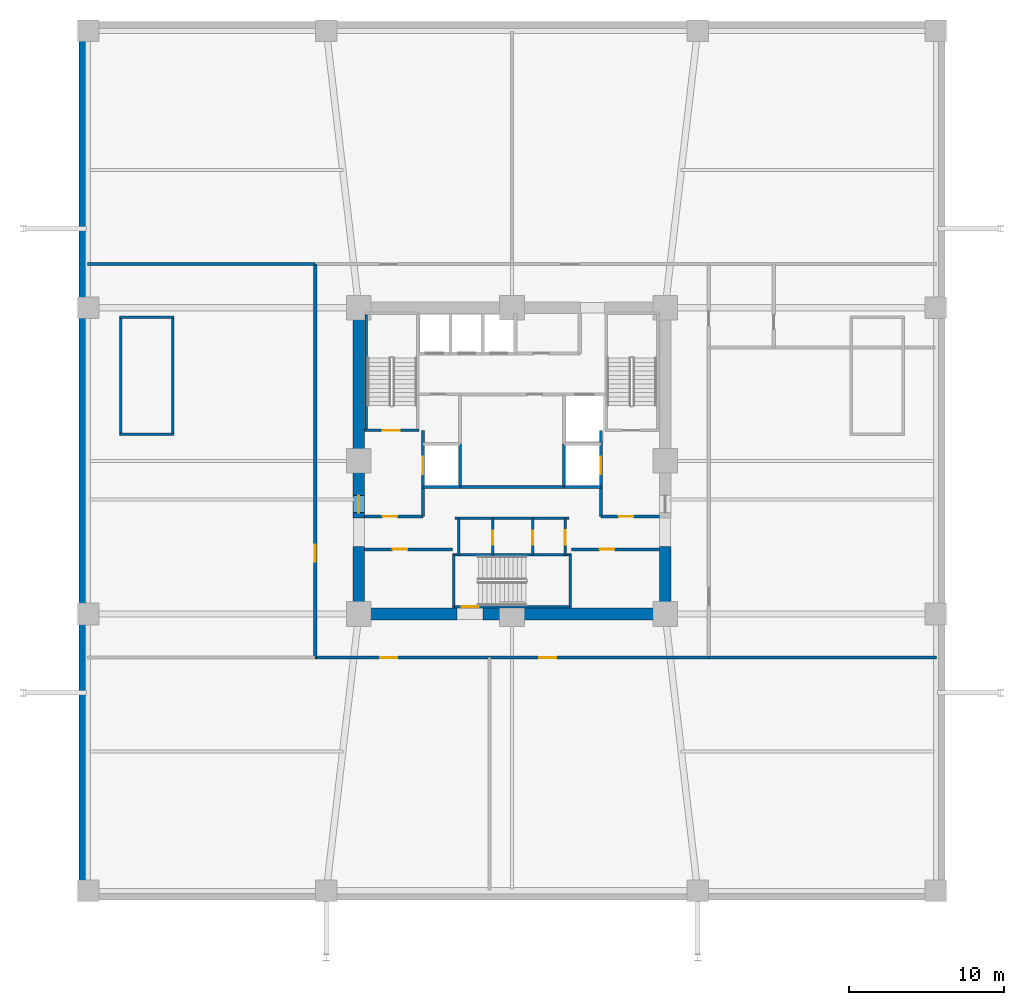
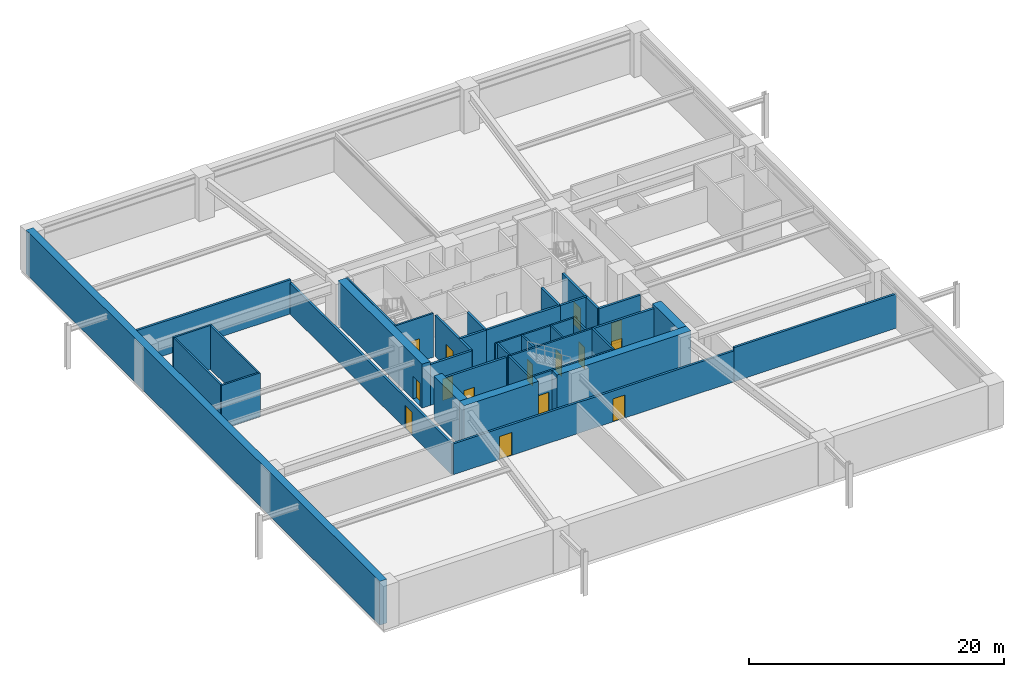
# One storey, part 2 of 5: 36 walls, 15 doors, 15 openings.
"""IFC4 building model written with IfcOpenShell, lengths in metres."""

from ifc_helpers import new_model, si_unit, direction, frame, frame_2d, origin, place, context, subcontext, project, spatial, rectangle, extrude, material, layer, layer_set, type_object, element, fill, save


model = new_model("IFC4")

# Units and contexts
model_context = context("Model", 3, precision=1e-05, world=origin(), true_north=direction((0.0, 1.0)))
body_context = subcontext(model_context, "Body", "Model", "MODEL_VIEW")
ifc_project = project(units=[si_unit("LENGTHUNIT", "METRE"), si_unit("AREAUNIT", "SQUARE_METRE"), si_unit("VOLUMEUNIT", "CUBIC_METRE"), si_unit("PLANEANGLEUNIT", "RADIAN"), si_unit("MASSUNIT", "GRAM", prefix="KILO")], contexts=[model_context])

# Site, building, storey
site_placement = place(None, origin())
site = spatial("IfcSite", under=ifc_project, at=site_placement, CompositionType="ELEMENT")
building_placement = place(site_placement, origin())
building = spatial("IfcBuilding", under=site, at=building_placement, Name="Kolvaren Belvedere", CompositionType="ELEMENT")
storey_placement = place(building_placement, frame((0.0, 0.0, -8.39990234375)))
storey = spatial("IfcBuildingStorey", under=building, at=storey_placement, Name="B02", CompositionType="ELEMENT", Elevation=-8.39990234375)

# Walls
ifc_material_1 = material(Name="Concrete C60/75", Category="concrete")
ifc_layer_1 = layer(ifc_material_1, 0.75)
ifc_layer_set_1 = layer_set([ifc_layer_1], Name="Concrete C60/75")
wall_type_1 = type_object("IfcWallType", Name="CW-CORE-750", PredefinedType="SHEAR", material=ifc_layer_set_1)
wall_1_placement = place(storey_placement, frame((10.27490234375, -9.89990234375, 0.0), z_axis=(0.0, 0.0, 1.0), x_axis=(-1.0, 0.0, 0.0)))
element("IfcWall", 1, at=wall_1_placement, inside=storey, type_object=wall_type_1, Name="B02 South Core Shear Wall 1", PredefinedType="SHEAR", context=body_context, shape_type="SweptSolid", body=[
    extrude(rectangle(XDim=12.135009765625, YDim=0.75, at=frame_2d((6.0673828125, 0.0))), origin(), (0.0, 0.0, 1.0), 4.199951171875),
])
wall_2_placement = place(storey_placement, frame((-3.5400390625, -9.89990234375, 0.0), z_axis=(0.0, 0.0, 1.0), x_axis=(-1.0, 0.0, 0.0)))
element("IfcWall", 2, at=wall_2_placement, inside=storey, type_object=wall_type_1, Name="B02 South Core Shear Wall 2", PredefinedType="SHEAR", context=body_context, shape_type="SweptSolid", body=[
    extrude(rectangle(XDim=6.73486328125, YDim=0.75, at=frame_2d((3.367431640625, 0.0))), origin(), (0.0, 0.0, 1.0), 4.199951171875),
])
for number, where, z_axis, x_axis, name in (
    (3, (-9.89990234375, -9.52490234375, 0.0), (0.0, 0.0, 1.0), (0.0, 1.0, 0.0), "B02 West Core Shear Wall 1"),
    (4, (9.89990234375, -9.52490234375, 0.0), (0.0, 0.0, 1.0), (0.0, 1.0, 0.0), "B02 East Core Shear Wall 1"),
):
    element("IfcWall", number, at=place(storey_placement, frame(where, z_axis=z_axis, x_axis=x_axis)), inside=storey, type_object=wall_type_1, Name=name, PredefinedType="SHEAR", context=body_context, shape_type="SweptSolid", body=[
        extrude(rectangle(XDim=3.974853515625, YDim=0.75, at=frame_2d((1.9873046875, 0.0))), origin(), (0.0, 0.0, 1.0), 4.199951171875),
    ])

# Wall, opening, door
wall_3_placement = place(storey_placement, frame((-9.89990234375, -3.699951171875, 0.0), z_axis=(0.0, 0.0, 1.0), x_axis=(0.0, 1.0, 0.0)))
wall_3 = element("IfcWall", 5, at=wall_3_placement, inside=storey, type_object=wall_type_1, Name="B02 West Core Shear Wall 2", PredefinedType="SHEAR", context=body_context, shape_type="SweptSolid", body=[
    extrude(rectangle(XDim=13.224853515625, YDim=0.75, at=frame_2d((6.6123046875, 0.0))), origin(), (0.0, 0.0, 1.0), 4.199951171875),
])
opening_1_placement = place(wall_3_placement, frame((0.35009765625, 0.0, 0.0)))
opening_1 = element("IfcOpeningElement", 6, at=opening_1_placement, cuts=wall_3, Name="Opening D-FD90", PredefinedType="OPENING", context=body_context, shape_type="SweptSolid", body=[
    extrude(rectangle(XDim=1.10009765625, YDim=2.199951171875, at=frame_2d((0.550048828125, 1.10009765625))), frame((0.0, 0.385009765625, 0.0), z_axis=(0.0, -1.0, 0.0), x_axis=(1.0, 0.0, 0.0)), (0.0, 0.0, 1.0), 0.77001953125),
])
ifc_material_2 = material(Name="Painted hollow stainless steel", Category="steel")
door_type_1 = type_object("IfcDoorType", Name="DR-FD90-1100", OperationType="NOTDEFINED", PredefinedType="DOOR", material=ifc_material_2)
door_1_placement = place(opening_1_placement, origin())
door_1 = element("IfcDoor", 7, at=door_1_placement, inside=storey, type_object=door_type_1, Name="B02 West Firefighting Lobby Fire Door", OperationType="SINGLE_SWING_LEFT", OverallHeight=2.199951171875, OverallWidth=1.10009765625, PredefinedType="DOOR", context=body_context, shape_type="SweptSolid", body=[
    extrude(rectangle(XDim=1.10009765625, YDim=2.199951171875, at=frame_2d((0.550048828125, 1.10009765625))), frame((0.0, 0.02490234375, 0.0), z_axis=(0.0, -1.0, 0.0), x_axis=(1.0, 0.0, 0.0)), (0.0, 0.0, 1.0), 0.050048828125),
])
fill(opening_1, door_1)

# Walls
ifc_material_3 = material(Name="Concrete C50/60", Category="concrete")
ifc_layer_2 = layer(ifc_material_3, 0.159912109375)
ifc_layer_set_2 = layer_set([ifc_layer_2], Name="Concrete C50/60")
wall_type_2 = type_object("IfcWallType", Name="CW-STAIR-160", PredefinedType="SHEAR", material=ifc_layer_set_2)
for number, where, z_axis, x_axis, name in (
    (8, (-25.360107421875, 1.719970703125, 0.0), (0.0, 0.0, 1.0), (1.0, 0.0, 0.0), "B02 Podium Stair ST-P1 Support Wall S"),
    (9, (-25.360107421875, 9.280029296875, 0.0), (0.0, 0.0, 1.0), (1.0, 0.0, 0.0), "B02 Podium Stair ST-P1 Support Wall N"),
):
    element("IfcWall", number, at=place(storey_placement, frame(where, z_axis=z_axis, x_axis=x_axis)), inside=storey, type_object=wall_type_2, Name=name, PredefinedType="SHEAR", context=body_context, shape_type="SweptSolid", body=[
        extrude(rectangle(XDim=3.510009765625, YDim=0.159912109375, at=frame_2d((1.7548828125, 0.0))), origin(), (0.0, 0.0, 1.0), 4.199951171875),
    ])
for number, where, z_axis, x_axis, name in (
    (10, (-25.280029296875, 1.800048828125, 0.0), (0.0, 0.0, 1.0), (0.0, 1.0, 0.0), "B02 Podium Stair ST-P1 Support Wall W"),
    (11, (-21.929931640625, 1.800048828125, 0.0), (0.0, 0.0, 1.0), (0.0, 1.0, 0.0), "B02 Podium Stair ST-P1 Support Wall E"),
):
    element("IfcWall", number, at=place(storey_placement, frame(where, z_axis=z_axis, x_axis=x_axis)), inside=storey, type_object=wall_type_2, Name=name, PredefinedType="SHEAR", context=body_context, shape_type="SweptSolid", body=[
        extrude(rectangle(XDim=7.39990234375, YDim=0.159912109375, at=frame_2d((3.699951171875, 0.0))), origin(), (0.0, 0.0, 1.0), 4.199951171875),
    ])

# Wall, opening, door
wall_4_placement = place(storey_placement, frame((-9.52001953125, 1.969970703125, 0.0), z_axis=(0.0, 0.0, 1.0), x_axis=(1.0, 0.0, 0.0)))
wall_4 = element("IfcWall", 12, at=wall_4_placement, inside=storey, type_object=wall_type_2, Name="B02 Stair ST-1 South Shear Wall", PredefinedType="SHEAR", context=body_context, shape_type="SweptSolid", body=[
    extrude(rectangle(XDim=3.52001953125, YDim=0.159912109375, at=frame_2d((1.760009765625, 0.0))), origin(), (0.0, 0.0, 1.0), 4.199951171875),
])
opening_2_placement = place(wall_4_placement, frame((1.14990234375, 0.0, 0.0)))
opening_2 = element("IfcOpeningElement", 13, at=opening_2_placement, cuts=wall_4, Name="Opening D-FD90", PredefinedType="OPENING", context=body_context, shape_type="SweptSolid", body=[
    extrude(rectangle(XDim=1.10009765625, YDim=2.199951171875, at=frame_2d((0.550048828125, 1.10009765625))), frame((0.0, 0.08984375, 0.0), z_axis=(0.0, -1.0, 0.0), x_axis=(1.0, 0.0, 0.0)), (0.0, 0.0, 1.0), 0.179931640625),
])
door_2_placement = place(opening_2_placement, origin())
door_2 = element("IfcDoor", 14, at=door_2_placement, inside=storey, type_object=door_type_1, Name="B02 Stair ST-1 Fire Door", OperationType="SINGLE_SWING_LEFT", OverallHeight=2.199951171875, OverallWidth=1.10009765625, PredefinedType="DOOR", context=body_context, shape_type="SweptSolid", body=[
    extrude(rectangle(XDim=1.10009765625, YDim=2.199951171875, at=frame_2d((0.550048828125, 1.10009765625))), frame((0.0, 0.02490234375, 0.0), z_axis=(0.0, -1.0, 0.0), x_axis=(1.0, 0.0, 0.0)), (0.0, 0.0, 1.0), 0.050048828125),
])
fill(opening_2, door_2)

# Wall
wall_5_placement = place(storey_placement, frame((-9.429931640625, 1.969970703125, 0.0), z_axis=(0.0, 0.0, 1.0), x_axis=(0.0, 1.0, 0.0)))
element("IfcWall", 15, at=wall_5_placement, inside=storey, type_object=wall_type_2, Name="B02 Stair ST-1 West Shear Wall", PredefinedType="SHEAR", context=body_context, shape_type="SweptSolid", body=[
    extrude(rectangle(XDim=7.56005859375, YDim=0.159912109375, at=frame_2d((3.780029296875, 0.0))), origin(), (0.0, 0.0, 1.0), 4.199951171875),
])

# Wall, opening, door
wall_6_placement = place(storey_placement, frame((3.860107421875, -9.429931640625, 0.0), z_axis=(0.0, 0.0, 1.0), x_axis=(-1.0, 0.0, 0.0)))
wall_6 = element("IfcWall", 16, at=wall_6_placement, inside=storey, type_object=wall_type_2, Name="B02 Stair ST-3 South Shear Wall", PredefinedType="SHEAR", context=body_context, shape_type="SweptSolid", body=[
    extrude(rectangle(XDim=7.72021484375, YDim=0.159912109375, at=frame_2d((3.860107421875, 0.0))), origin(), (0.0, 0.0, 1.0), 4.199951171875),
])
opening_3_placement = place(wall_6_placement, frame((6.010009765625, 0.0, 0.0)))
opening_3 = element("IfcOpeningElement", 17, at=opening_3_placement, cuts=wall_6, Name="Opening D-FD90", PredefinedType="OPENING", context=body_context, shape_type="SweptSolid", body=[
    extrude(rectangle(XDim=1.10009765625, YDim=2.199951171875, at=frame_2d((0.550048828125, 1.10009765625))), frame((0.0, 0.08984375, 0.0), z_axis=(0.0, -1.0, 0.0), x_axis=(1.0, 0.0, 0.0)), (0.0, 0.0, 1.0), 0.179931640625),
])
door_3_placement = place(opening_3_placement, origin())
door_3 = element("IfcDoor", 18, at=door_3_placement, inside=storey, type_object=door_type_1, Name="B02 Stair ST-3 Exit Door", OperationType="SINGLE_SWING_RIGHT", OverallHeight=2.199951171875, OverallWidth=1.10009765625, PredefinedType="DOOR", context=body_context, shape_type="SweptSolid", body=[
    extrude(rectangle(XDim=1.10009765625, YDim=2.199951171875, at=frame_2d((0.550048828125, 1.10009765625))), frame((0.0, 0.02490234375, 0.0), z_axis=(0.0, -1.0, 0.0), x_axis=(1.0, 0.0, 0.0)), (0.0, 0.0, 1.0), 0.050048828125),
])
fill(opening_3, door_3)

# Walls
wall_7_placement = place(storey_placement, frame((-3.860107421875, -6.080078125, 0.0), z_axis=(0.0, 0.0, 1.0), x_axis=(1.0, 0.0, 0.0)))
element("IfcWall", 19, at=wall_7_placement, inside=storey, type_object=wall_type_2, Name="B02 Stair ST-3 North Shear Wall", PredefinedType="SHEAR", context=body_context, shape_type="SweptSolid", body=[
    extrude(rectangle(XDim=7.72021484375, YDim=0.159912109375, at=frame_2d((3.860107421875, 0.0))), origin(), (0.0, 0.0, 1.0), 4.199951171875),
])
for number, where, z_axis, x_axis, name in (
    (20, (-3.780029296875, -9.429931640625, 0.0), (0.0, 0.0, 1.0), (0.0, 1.0, 0.0), "B02 Stair ST-3 West Shear Wall"),
    (21, (3.780029296875, -9.429931640625, 0.0), (0.0, 0.0, 1.0), (0.0, 1.0, 0.0), "B02 Stair ST-3 East Shear Wall"),
):
    element("IfcWall", number, at=place(storey_placement, frame(where, z_axis=z_axis, x_axis=x_axis)), inside=storey, type_object=wall_type_2, Name=name, PredefinedType="SHEAR", context=body_context, shape_type="SweptSolid", body=[
        extrude(rectangle(XDim=3.349853515625, YDim=0.159912109375, at=frame_2d((1.6748046875, 0.0))), origin(), (0.0, 0.0, 1.0), 4.199951171875),
    ])
ifc_material_4 = material(Name="Concrete C50/60", Category="concrete")
ifc_layer_3 = layer(ifc_material_4, 0.64990234375)
ifc_layer_set_3 = layer_set([ifc_layer_3], Name="Concrete C50/60")
wall_type_3 = type_object("IfcWallType", Name="RW-BASE-650", PredefinedType="SHEAR", material=ifc_layer_set_3)
wall_8_placement = place(storey_placement, frame((-27.675048828125, -27.75, 0.0), z_axis=(0.0, 0.0, 1.0), x_axis=(0.0, 1.0, 0.0)))
element("IfcWall", 22, at=wall_8_placement, inside=storey, type_object=wall_type_3, Name="B02 West Perimeter Retaining Wall", PredefinedType="SHEAR", context=body_context, shape_type="SweptSolid", body=[
    extrude(rectangle(XDim=55.5, YDim=0.64990234375, at=frame_2d((27.75, 0.0))), origin(), (0.0, 0.0, 1.0), 4.199951171875),
])
ifc_material_5 = material(Name="Gypsum acoustic partition assembly", Category="gypsum")
ifc_layer_4 = layer(ifc_material_5, 0.14990234375)
ifc_layer_set_4 = layer_set([ifc_layer_4], Name="Gypsum acoustic partition assembly")
wall_type_4 = type_object("IfcWallType", Name="WL-PART-150", PredefinedType="PARTITIONING", material=ifc_layer_set_4)
wall_9_placement = place(storey_placement, frame((-3.679931640625, -3.719970703125, 0.0), z_axis=(0.0, 0.0, 1.0), x_axis=(1.0, 0.0, 0.0)))
element("IfcWall", 23, at=wall_9_placement, inside=storey, type_object=wall_type_4, Name="B02 South Core Service North Wall", PredefinedType="PARTITIONING", context=body_context, shape_type="SweptSolid", body=[
    extrude(rectangle(XDim=7.35986328125, YDim=0.14990234375, at=frame_2d((3.679931640625, 0.0))), origin(), (0.0, 0.0, 1.0), 3.89990234375),
])

# Wall, opening, door
wall_10_placement = place(storey_placement, frame((3.449951171875, -6.080078125, 0.0), z_axis=(0.0, 0.0, 1.0), x_axis=(0.0, 1.0, 0.0)))
wall_10 = element("IfcWall", 24, at=wall_10_placement, inside=storey, type_object=wall_type_4, Name="B02 South Core Service East Wall", PredefinedType="PARTITIONING", context=body_context, shape_type="SweptSolid", body=[
    extrude(rectangle(XDim=2.360107421875, YDim=0.14990234375, at=frame_2d((1.18017578125, 0.0))), origin(), (0.0, 0.0, 1.0), 3.89990234375),
])
opening_4_placement = place(wall_10_placement, frame((0.64990234375, 0.0, 0.0)))
opening_4 = element("IfcOpeningElement", 25, at=opening_4_placement, cuts=wall_10, Name="Opening D-FD60", PredefinedType="OPENING", context=body_context, shape_type="SweptSolid", body=[
    extrude(rectangle(XDim=0.949951171875, YDim=2.06005859375, at=frame_2d((0.47509765625, 1.030029296875))), frame((0.0, 0.0849609375, 0.0), z_axis=(0.0, -1.0, 0.0), x_axis=(1.0, 0.0, 0.0)), (0.0, 0.0, 1.0), 0.169921875),
])
ifc_material_6 = material(Name="Acoustic white-oak fire door leaf", Category="timber")
door_type_2 = type_object("IfcDoorType", Name="DR-FD60-950", OperationType="NOTDEFINED", PredefinedType="DOOR", material=ifc_material_6)
door_4_placement = place(opening_4_placement, origin())
door_4 = element("IfcDoor", 26, at=door_4_placement, inside=storey, type_object=door_type_2, Name="B02 Core Service Room Door", OperationType="SINGLE_SWING_LEFT", OverallHeight=2.06005859375, OverallWidth=0.949951171875, PredefinedType="DOOR", context=body_context, shape_type="SweptSolid", body=[
    extrude(rectangle(XDim=0.949951171875, YDim=2.06005859375, at=frame_2d((0.47509765625, 1.030029296875))), frame((0.0, 0.02490234375, 0.0), z_axis=(0.0, -1.0, 0.0), x_axis=(1.0, 0.0, 0.0)), (0.0, 0.0, 1.0), 0.050048828125),
])
fill(opening_4, door_4)

# Wall
wall_11_placement = place(storey_placement, frame((-3.449951171875, -6.080078125, 0.0), z_axis=(0.0, 0.0, 1.0), x_axis=(0.0, 1.0, 0.0)))
element("IfcWall", 27, at=wall_11_placement, inside=storey, type_object=wall_type_4, Name="B02 South Core Service West Wall", PredefinedType="PARTITIONING", context=body_context, shape_type="SweptSolid", body=[
    extrude(rectangle(XDim=2.360107421875, YDim=0.14990234375, at=frame_2d((1.18017578125, 0.0))), origin(), (0.0, 0.0, 1.0), 3.89990234375),
])

# Wall, opening, door
wall_12_placement = place(storey_placement, frame((1.35009765625, -6.080078125, 0.0), z_axis=(0.0, 0.0, 1.0), x_axis=(0.0, 1.0, 0.0)))
wall_12 = element("IfcWall", 28, at=wall_12_placement, inside=storey, type_object=wall_type_4, Name="B02 Core Service Divider 1", PredefinedType="PARTITIONING", context=body_context, shape_type="SweptSolid", body=[
    extrude(rectangle(XDim=2.360107421875, YDim=0.14990234375, at=frame_2d((1.18017578125, 0.0))), origin(), (0.0, 0.0, 1.0), 3.89990234375),
])
opening_5_placement = place(wall_12_placement, frame((0.64990234375, 0.0, 0.0)))
opening_5 = element("IfcOpeningElement", 29, at=opening_5_placement, cuts=wall_12, Name="Opening D-INT90", PredefinedType="OPENING", context=body_context, shape_type="SweptSolid", body=[
    extrude(rectangle(XDim=0.89990234375, YDim=2.06005859375, at=frame_2d((0.449951171875, 1.030029296875))), frame((0.0, 0.0849609375, 0.0), z_axis=(0.0, -1.0, 0.0), x_axis=(1.0, 0.0, 0.0)), (0.0, 0.0, 1.0), 0.169921875),
])
ifc_material_7 = material(Name="Stained Pacific white oak", Category="timber")
door_type_3 = type_object("IfcDoorType", Name="DR-INT-900", OperationType="NOTDEFINED", PredefinedType="DOOR", material=ifc_material_7)
door_5_placement = place(opening_5_placement, origin())
door_5 = element("IfcDoor", 30, at=door_5_placement, inside=storey, type_object=door_type_3, Name="B02 Data Closet Door", OperationType="SINGLE_SWING_RIGHT", OverallHeight=2.06005859375, OverallWidth=0.89990234375, PredefinedType="DOOR", context=body_context, shape_type="SweptSolid", body=[
    extrude(rectangle(XDim=0.89990234375, YDim=2.06005859375, at=frame_2d((0.449951171875, 1.030029296875))), frame((0.0, 0.02490234375, 0.0), z_axis=(0.0, -1.0, 0.0), x_axis=(1.0, 0.0, 0.0)), (0.0, 0.0, 1.0), 0.050048828125),
])
fill(opening_5, door_5)

wall_13_placement = place(storey_placement, frame((-1.25, -6.080078125, 0.0), z_axis=(0.0, 0.0, 1.0), x_axis=(0.0, 1.0, 0.0)))
wall_13 = element("IfcWall", 31, at=wall_13_placement, inside=storey, type_object=wall_type_4, Name="B02 Core Service Divider 2", PredefinedType="PARTITIONING", context=body_context, shape_type="SweptSolid", body=[
    extrude(rectangle(XDim=2.360107421875, YDim=0.14990234375, at=frame_2d((1.18017578125, 0.0))), origin(), (0.0, 0.0, 1.0), 3.89990234375),
])
opening_6_placement = place(wall_13_placement, frame((0.64990234375, 0.0, 0.0)))
opening_6 = element("IfcOpeningElement", 32, at=opening_6_placement, cuts=wall_13, Name="Opening D-INT90", PredefinedType="OPENING", context=body_context, shape_type="SweptSolid", body=[
    extrude(rectangle(XDim=0.89990234375, YDim=2.06005859375, at=frame_2d((0.449951171875, 1.030029296875))), frame((0.0, 0.0849609375, 0.0), z_axis=(0.0, -1.0, 0.0), x_axis=(1.0, 0.0, 0.0)), (0.0, 0.0, 1.0), 0.169921875),
])
door_6_placement = place(opening_6_placement, origin())
door_6 = element("IfcDoor", 33, at=door_6_placement, inside=storey, type_object=door_type_3, Name="B02 Janitor Room Door", OperationType="SINGLE_SWING_LEFT", OverallHeight=2.06005859375, OverallWidth=0.89990234375, PredefinedType="DOOR", context=body_context, shape_type="SweptSolid", body=[
    extrude(rectangle(XDim=0.89990234375, YDim=2.06005859375, at=frame_2d((0.449951171875, 1.030029296875))), frame((0.0, 0.02490234375, 0.0), z_axis=(0.0, -1.0, 0.0), x_axis=(1.0, 0.0, 0.0)), (0.0, 0.0, 1.0), 0.050048828125),
])
fill(opening_6, door_6)

ifc_material_8 = material(Name="Concrete C50/60", Category="concrete")
ifc_layer_5 = layer(ifc_material_8, 0.199951171875)
ifc_layer_set_5 = layer_set([ifc_layer_5], Name="Concrete C50/60")
wall_type_5 = type_object("IfcWallType", Name="WL-SHAFT-200", PredefinedType="SOLIDWALL", material=ifc_layer_set_5)
wall_14_placement = place(storey_placement, frame((-9.52001953125, -3.60009765625, 0.0), z_axis=(0.0, 0.0, 1.0), x_axis=(1.0, 0.0, 0.0)))
wall_14 = element("IfcWall", 34, at=wall_14_placement, inside=storey, type_object=wall_type_5, Name="B02 West FSAE Lobby South Wall", PredefinedType="SOLIDWALL", context=body_context, shape_type="SweptSolid", body=[
    extrude(rectangle(XDim=3.77001953125, YDim=0.199951171875, at=frame_2d((1.885009765625, 0.0))), origin(), (0.0, 0.0, 1.0), 3.89990234375),
])
opening_7_placement = place(wall_14_placement, frame((1.14990234375, 0.0, 0.0)))
opening_7 = element("IfcOpeningElement", 35, at=opening_7_placement, cuts=wall_14, Name="Opening D-FD60", PredefinedType="OPENING", context=body_context, shape_type="SweptSolid", body=[
    extrude(rectangle(XDim=0.949951171875, YDim=2.06005859375, at=frame_2d((0.47509765625, 1.030029296875))), frame((0.0, 0.10986328125, 0.0), z_axis=(0.0, -1.0, 0.0), x_axis=(1.0, 0.0, 0.0)), (0.0, 0.0, 1.0), 0.219970703125),
])
door_7_placement = place(opening_7_placement, origin())
door_7 = element("IfcDoor", 36, at=door_7_placement, inside=storey, type_object=door_type_2, Name="B02 SW Lift Lobby Fire Door", OperationType="SINGLE_SWING_LEFT", OverallHeight=2.06005859375, OverallWidth=0.949951171875, PredefinedType="DOOR", context=body_context, shape_type="SweptSolid", body=[
    extrude(rectangle(XDim=0.949951171875, YDim=2.06005859375, at=frame_2d((0.47509765625, 1.030029296875))), frame((0.0, 0.02490234375, 0.0), z_axis=(0.0, -1.0, 0.0), x_axis=(1.0, 0.0, 0.0)), (0.0, 0.0, 1.0), 0.050048828125),
])
fill(opening_7, door_7)

wall_15_placement = place(storey_placement, frame((-5.75, -3.60009765625, 0.0), z_axis=(0.0, 0.0, 1.0), x_axis=(0.0, 1.0, 0.0)))
wall_15 = element("IfcWall", 37, at=wall_15_placement, inside=storey, type_object=wall_type_5, Name="B02 FSAE FS1 Landing Wall", PredefinedType="SOLIDWALL", context=body_context, shape_type="SweptSolid", body=[
    extrude(rectangle(XDim=5.570068359375, YDim=0.199951171875, at=frame_2d((2.78515625, 0.0))), origin(), (0.0, 0.0, 1.0), 3.89990234375),
])
opening_8_placement = place(wall_15_placement, frame((2.75, 0.0, 0.0)))
opening_8 = element("IfcOpeningElement", 38, at=opening_8_placement, cuts=wall_15, Name="Opening LD-11", PredefinedType="OPENING", context=body_context, shape_type="SweptSolid", body=[
    extrude(rectangle(XDim=1.10009765625, YDim=2.199951171875, at=frame_2d((0.550048828125, 1.10009765625))), frame((0.0, 0.10986328125, 0.0), z_axis=(0.0, -1.0, 0.0), x_axis=(1.0, 0.0, 0.0)), (0.0, 0.0, 1.0), 0.219970703125),
])
ifc_material_9 = material(Name="Brushed stainless steel", Category="steel")
door_type_4 = type_object("IfcDoorType", Name="DR-LIFT-1100", OperationType="DOUBLE_DOOR_SLIDING", PredefinedType="DOOR", material=ifc_material_9)
door_8_placement = place(opening_8_placement, origin())
door_8 = element("IfcDoor", 39, at=door_8_placement, inside=storey, type_object=door_type_4, Name="B02 Firefighting Lift FS1 Landing Door", OperationType="DOUBLE_DOOR_SLIDING", OverallHeight=2.199951171875, OverallWidth=1.10009765625, PredefinedType="DOOR", context=body_context, shape_type="SweptSolid", body=[
    extrude(rectangle(XDim=1.10009765625, YDim=2.199951171875, at=frame_2d((0.550048828125, 1.10009765625))), frame((0.0, 0.02490234375, 0.0), z_axis=(0.0, -1.0, 0.0), x_axis=(1.0, 0.0, 0.0)), (0.0, 0.0, 1.0), 0.050048828125),
])
fill(opening_8, door_8)

# Walls
wall_16_placement = place(storey_placement, frame((-3.35009765625, -1.699951171875, 0.0), z_axis=(0.0, 0.0, 1.0), x_axis=(0.0, 1.0, 0.0)))
element("IfcWall", 40, at=wall_16_placement, inside=storey, type_object=wall_type_5, Name="B02 FSAE FS1 Back Wall", PredefinedType="SOLIDWALL", context=body_context, shape_type="SweptSolid", body=[
    extrude(rectangle(XDim=2.800048828125, YDim=0.199951171875, at=frame_2d((1.39990234375, 0.0))), origin(), (0.0, 0.0, 1.0), 3.89990234375),
])
wall_17_placement = place(storey_placement, frame((-5.75, -1.699951171875, 0.0), z_axis=(0.0, 0.0, 1.0), x_axis=(1.0, 0.0, 0.0)))
element("IfcWall", 41, at=wall_17_placement, inside=storey, type_object=wall_type_5, Name="B02 FSAE FS1 South Wall", PredefinedType="SOLIDWALL", context=body_context, shape_type="SweptSolid", body=[
    extrude(rectangle(XDim=2.39990234375, YDim=0.199951171875, at=frame_2d((1.199951171875, 0.0))), origin(), (0.0, 0.0, 1.0), 3.89990234375),
])

# Wall, opening, door
wall_18_placement = place(storey_placement, frame((5.75, -3.60009765625, 0.0), z_axis=(0.0, 0.0, 1.0), x_axis=(1.0, 0.0, 0.0)))
wall_18 = element("IfcWall", 42, at=wall_18_placement, inside=storey, type_object=wall_type_5, Name="B02 East FSAE Lobby South Wall", PredefinedType="SOLIDWALL", context=body_context, shape_type="SweptSolid", body=[
    extrude(rectangle(XDim=3.77001953125, YDim=0.199951171875, at=frame_2d((1.885009765625, 0.0))), origin(), (0.0, 0.0, 1.0), 3.89990234375),
])
opening_9_placement = place(wall_18_placement, frame((1.14990234375, 0.0, 0.0)))
opening_9 = element("IfcOpeningElement", 43, at=opening_9_placement, cuts=wall_18, Name="Opening D-FD60", PredefinedType="OPENING", context=body_context, shape_type="SweptSolid", body=[
    extrude(rectangle(XDim=0.949951171875, YDim=2.06005859375, at=frame_2d((0.47509765625, 1.030029296875))), frame((0.0, 0.10986328125, 0.0), z_axis=(0.0, -1.0, 0.0), x_axis=(1.0, 0.0, 0.0)), (0.0, 0.0, 1.0), 0.219970703125),
])
door_9_placement = place(opening_9_placement, origin())
door_9 = element("IfcDoor", 44, at=door_9_placement, inside=storey, type_object=door_type_2, Name="B02 SE Lift Lobby Fire Door", OperationType="SINGLE_SWING_RIGHT", OverallHeight=2.06005859375, OverallWidth=0.949951171875, PredefinedType="DOOR", context=body_context, shape_type="SweptSolid", body=[
    extrude(rectangle(XDim=0.949951171875, YDim=2.06005859375, at=frame_2d((0.47509765625, 1.030029296875))), frame((0.0, 0.02490234375, 0.0), z_axis=(0.0, -1.0, 0.0), x_axis=(1.0, 0.0, 0.0)), (0.0, 0.0, 1.0), 0.050048828125),
])
fill(opening_9, door_9)

wall_19_placement = place(storey_placement, frame((5.75, -3.60009765625, 0.0), z_axis=(0.0, 0.0, 1.0), x_axis=(0.0, 1.0, 0.0)))
wall_19 = element("IfcWall", 45, at=wall_19_placement, inside=storey, type_object=wall_type_5, Name="B02 FSAE FS2 Landing Wall", PredefinedType="SOLIDWALL", context=body_context, shape_type="SweptSolid", body=[
    extrude(rectangle(XDim=5.570068359375, YDim=0.199951171875, at=frame_2d((2.78515625, 0.0))), origin(), (0.0, 0.0, 1.0), 3.89990234375),
])
opening_10_placement = place(wall_19_placement, frame((2.75, 0.0, 0.0)))
opening_10 = element("IfcOpeningElement", 46, at=opening_10_placement, cuts=wall_19, Name="Opening LD-11", PredefinedType="OPENING", context=body_context, shape_type="SweptSolid", body=[
    extrude(rectangle(XDim=1.10009765625, YDim=2.199951171875, at=frame_2d((0.550048828125, 1.10009765625))), frame((0.0, 0.10986328125, 0.0), z_axis=(0.0, -1.0, 0.0), x_axis=(1.0, 0.0, 0.0)), (0.0, 0.0, 1.0), 0.219970703125),
])
door_10_placement = place(opening_10_placement, origin())
door_10 = element("IfcDoor", 47, at=door_10_placement, inside=storey, type_object=door_type_4, Name="B02 Firefighting Lift FS2 Landing Door", OperationType="DOUBLE_DOOR_SLIDING", OverallHeight=2.199951171875, OverallWidth=1.10009765625, PredefinedType="DOOR", context=body_context, shape_type="SweptSolid", body=[
    extrude(rectangle(XDim=1.10009765625, YDim=2.199951171875, at=frame_2d((0.550048828125, 1.10009765625))), frame((0.0, 0.02490234375, 0.0), z_axis=(0.0, -1.0, 0.0), x_axis=(1.0, 0.0, 0.0)), (0.0, 0.0, 1.0), 0.050048828125),
])
fill(opening_10, door_10)

# Walls
wall_20_placement = place(storey_placement, frame((3.35009765625, -1.699951171875, 0.0), z_axis=(0.0, 0.0, 1.0), x_axis=(0.0, 1.0, 0.0)))
element("IfcWall", 48, at=wall_20_placement, inside=storey, type_object=wall_type_5, Name="B02 FSAE FS2 Back Wall", PredefinedType="SOLIDWALL", context=body_context, shape_type="SweptSolid", body=[
    extrude(rectangle(XDim=2.800048828125, YDim=0.199951171875, at=frame_2d((1.39990234375, 0.0))), origin(), (0.0, 0.0, 1.0), 3.89990234375),
])
wall_21_placement = place(storey_placement, frame((3.35009765625, -1.699951171875, 0.0), z_axis=(0.0, 0.0, 1.0), x_axis=(1.0, 0.0, 0.0)))
element("IfcWall", 49, at=wall_21_placement, inside=storey, type_object=wall_type_5, Name="B02 FSAE FS2 South Wall", PredefinedType="SOLIDWALL", context=body_context, shape_type="SweptSolid", body=[
    extrude(rectangle(XDim=2.39990234375, YDim=0.199951171875, at=frame_2d((1.199951171875, 0.0))), origin(), (0.0, 0.0, 1.0), 3.89990234375),
])

# Wall, opening, door
wall_22_placement = place(storey_placement, frame((-9.52001953125, -5.719970703125, 0.0), z_axis=(0.0, 0.0, 1.0), x_axis=(1.0, 0.0, 0.0)))
wall_22 = element("IfcWall", 50, at=wall_22_placement, inside=storey, type_object=wall_type_5, Name="B02 SW Core Reserve Wall", PredefinedType="SOLIDWALL", context=body_context, shape_type="SweptSolid", body=[
    extrude(rectangle(XDim=5.659912109375, YDim=0.199951171875, at=frame_2d((2.830078125, 0.0))), origin(), (0.0, 0.0, 1.0), 3.89990234375),
])
opening_11_placement = place(wall_22_placement, frame((1.800048828125, 0.0, 0.0)))
opening_11 = element("IfcOpeningElement", 51, at=opening_11_placement, cuts=wall_22, Name="Opening D-FD60", PredefinedType="OPENING", context=body_context, shape_type="SweptSolid", body=[
    extrude(rectangle(XDim=0.949951171875, YDim=2.06005859375, at=frame_2d((0.47509765625, 1.030029296875))), frame((0.0, 0.10986328125, 0.0), z_axis=(0.0, -1.0, 0.0), x_axis=(1.0, 0.0, 0.0)), (0.0, 0.0, 1.0), 0.219970703125),
])
door_11_placement = place(opening_11_placement, origin())
door_11 = element("IfcDoor", 52, at=door_11_placement, inside=storey, type_object=door_type_2, Name="B02 SW Core Room Door", OperationType="SINGLE_SWING_LEFT", OverallHeight=2.06005859375, OverallWidth=0.949951171875, PredefinedType="DOOR", context=body_context, shape_type="SweptSolid", body=[
    extrude(rectangle(XDim=0.949951171875, YDim=2.06005859375, at=frame_2d((0.47509765625, 1.030029296875))), frame((0.0, 0.02490234375, 0.0), z_axis=(0.0, -1.0, 0.0), x_axis=(1.0, 0.0, 0.0)), (0.0, 0.0, 1.0), 0.050048828125),
])
fill(opening_11, door_11)

wall_23_placement = place(storey_placement, frame((3.860107421875, -5.719970703125, 0.0), z_axis=(0.0, 0.0, 1.0), x_axis=(1.0, 0.0, 0.0)))
wall_23 = element("IfcWall", 53, at=wall_23_placement, inside=storey, type_object=wall_type_5, Name="B02 SE Core Distribution Wall", PredefinedType="SOLIDWALL", context=body_context, shape_type="SweptSolid", body=[
    extrude(rectangle(XDim=5.659912109375, YDim=0.199951171875, at=frame_2d((2.830078125, 0.0))), origin(), (0.0, 0.0, 1.0), 3.89990234375),
])
opening_12_placement = place(wall_23_placement, frame((1.800048828125, 0.0, 0.0)))
opening_12 = element("IfcOpeningElement", 54, at=opening_12_placement, cuts=wall_23, Name="Opening D-FD60", PredefinedType="OPENING", context=body_context, shape_type="SweptSolid", body=[
    extrude(rectangle(XDim=0.949951171875, YDim=2.06005859375, at=frame_2d((0.47509765625, 1.030029296875))), frame((0.0, 0.10986328125, 0.0), z_axis=(0.0, -1.0, 0.0), x_axis=(1.0, 0.0, 0.0)), (0.0, 0.0, 1.0), 0.219970703125),
])
door_12_placement = place(opening_12_placement, origin())
door_12 = element("IfcDoor", 55, at=door_12_placement, inside=storey, type_object=door_type_2, Name="B02 Substructure Switchgear Mechanical Plant Door", OperationType="SINGLE_SWING_RIGHT", OverallHeight=2.06005859375, OverallWidth=0.949951171875, PredefinedType="DOOR", context=body_context, shape_type="SweptSolid", body=[
    extrude(rectangle(XDim=0.949951171875, YDim=2.06005859375, at=frame_2d((0.47509765625, 1.030029296875))), frame((0.0, 0.02490234375, 0.0), z_axis=(0.0, -1.0, 0.0), x_axis=(1.0, 0.0, 0.0)), (0.0, 0.0, 1.0), 0.050048828125),
])
fill(opening_12, door_12)

# Wall
wall_24_placement = place(storey_placement, frame((-3.35009765625, -1.699951171875, 0.0), z_axis=(0.0, 0.0, 1.0), x_axis=(1.0, 0.0, 0.0)))
element("IfcWall", 56, at=wall_24_placement, inside=storey, type_object=wall_type_5, Name="B02 Central Core Room South Wall", PredefinedType="SOLIDWALL", context=body_context, shape_type="SweptSolid", body=[
    extrude(rectangle(XDim=6.7001953125, YDim=0.199951171875, at=frame_2d((3.35009765625, 0.0))), origin(), (0.0, 0.0, 1.0), 3.89990234375),
])

# Wall, openings, doors
wall_25_placement = place(storey_placement, frame((-12.719970703125, -12.719970703125, 0.0), z_axis=(0.0, 0.0, 1.0), x_axis=(1.0, 0.0, 0.0)))
wall_25 = element("IfcWall", 57, at=wall_25_placement, inside=storey, type_object=wall_type_5, Name="B02 South Corridor Wall", PredefinedType="SOLIDWALL", context=body_context, shape_type="SweptSolid", body=[
    extrude(rectangle(XDim=25.43994140625, YDim=0.199951171875, at=frame_2d((12.719970703125, 0.0))), origin(), (0.0, 0.0, 1.0), 2.9580078125),
])
opening_13_placement = place(wall_25_placement, frame((4.199951171875, 0.0, 0.0)))
opening_13 = element("IfcOpeningElement", 58, at=opening_13_placement, cuts=wall_25, Name="Opening D-FD90", PredefinedType="OPENING", context=body_context, shape_type="SweptSolid", body=[
    extrude(rectangle(XDim=1.10009765625, YDim=2.199951171875, at=frame_2d((0.550048828125, 1.10009765625))), frame((0.0, 0.10986328125, 0.0), z_axis=(0.0, -1.0, 0.0), x_axis=(1.0, 0.0, 0.0)), (0.0, 0.0, 1.0), 0.219970703125),
])
opening_14_placement = place(wall_25_placement, frame((14.469970703125, 0.0, 0.0)))
opening_14 = element("IfcOpeningElement", 59, at=opening_14_placement, cuts=wall_25, Name="Opening D-FD90", PredefinedType="OPENING", context=body_context, shape_type="SweptSolid", body=[
    extrude(rectangle(XDim=1.10009765625, YDim=2.199951171875, at=frame_2d((0.550048828125, 1.10009765625))), frame((0.0, 0.10986328125, 0.0), z_axis=(0.0, -1.0, 0.0), x_axis=(1.0, 0.0, 0.0)), (0.0, 0.0, 1.0), 0.219970703125),
])
door_13_placement = place(opening_13_placement, origin())
door_13 = element("IfcDoor", 60, at=door_13_placement, inside=storey, type_object=door_type_1, Name="B02 Central Heat-Pump Boiler Mechanical Plant Door", OperationType="SINGLE_SWING_LEFT", OverallHeight=2.199951171875, OverallWidth=1.10009765625, PredefinedType="DOOR", context=body_context, shape_type="SweptSolid", body=[
    extrude(rectangle(XDim=1.10009765625, YDim=2.199951171875, at=frame_2d((0.550048828125, 1.10009765625))), frame((0.0, 0.02490234375, 0.0), z_axis=(0.0, -1.0, 0.0), x_axis=(1.0, 0.0, 0.0)), (0.0, 0.0, 1.0), 0.050048828125),
])
fill(opening_13, door_13)
door_14_placement = place(opening_14_placement, origin())
door_14 = element("IfcDoor", 61, at=door_14_placement, inside=storey, type_object=door_type_1, Name="B02 Emergency Standby Generator Mechanical Plant Door", OperationType="SINGLE_SWING_RIGHT", OverallHeight=2.199951171875, OverallWidth=1.10009765625, PredefinedType="DOOR", context=body_context, shape_type="SweptSolid", body=[
    extrude(rectangle(XDim=1.10009765625, YDim=2.199951171875, at=frame_2d((0.550048828125, 1.10009765625))), frame((0.0, 0.02490234375, 0.0), z_axis=(0.0, -1.0, 0.0), x_axis=(1.0, 0.0, 0.0)), (0.0, 0.0, 1.0), 0.050048828125),
])
fill(opening_14, door_14)

# Wall, opening, door
wall_26_placement = place(storey_placement, frame((-12.719970703125, -12.719970703125, 0.0), z_axis=(0.0, 0.0, 1.0), x_axis=(0.0, 1.0, 0.0)))
wall_26 = element("IfcWall", 62, at=wall_26_placement, inside=storey, type_object=wall_type_5, Name="B02 West Corridor Wall", PredefinedType="SOLIDWALL", context=body_context, shape_type="SweptSolid", body=[
    extrude(rectangle(XDim=25.43994140625, YDim=0.199951171875, at=frame_2d((12.719970703125, 0.0))), origin(), (0.0, 0.0, 1.0), 2.9580078125),
])
opening_15_placement = place(wall_26_placement, frame((6.199951171875, 0.0, 0.0)))
opening_15 = element("IfcOpeningElement", 63, at=opening_15_placement, cuts=wall_26, Name="Opening D-FD90", PredefinedType="OPENING", context=body_context, shape_type="SweptSolid", body=[
    extrude(rectangle(XDim=1.10009765625, YDim=2.199951171875, at=frame_2d((0.550048828125, 1.10009765625))), frame((0.0, 0.10986328125, 0.0), z_axis=(0.0, -1.0, 0.0), x_axis=(1.0, 0.0, 0.0)), (0.0, 0.0, 1.0), 0.219970703125),
])
door_15_placement = place(opening_15_placement, origin())
door_15 = element("IfcDoor", 64, at=door_15_placement, inside=storey, type_object=door_type_1, Name="B02 Main Telecom Headend Mechanical Plant Door", OperationType="SINGLE_SWING_LEFT", OverallHeight=2.199951171875, OverallWidth=1.10009765625, PredefinedType="DOOR", context=body_context, shape_type="SweptSolid", body=[
    extrude(rectangle(XDim=1.10009765625, YDim=2.199951171875, at=frame_2d((0.550048828125, 1.10009765625))), frame((0.0, 0.02490234375, 0.0), z_axis=(0.0, -1.0, 0.0), x_axis=(1.0, 0.0, 0.0)), (0.0, 0.0, 1.0), 0.050048828125),
])
fill(opening_15, door_15)

# Walls
for number, where, z_axis, x_axis, name in (
    (65, (12.719970703125, -12.719970703125, 0.0), (0.0, 0.0, 1.0), (1.0, 0.0, 0.0), "B02 Sector Wall PW-B02-QSE"),
    (66, (-27.43994140625, 12.719970703125, 0.0), (0.0, 0.0, 1.0), (1.0, 0.0, 0.0), "B02 Sector Wall PW-B02-QNW"),
):
    element("IfcWall", number, at=place(storey_placement, frame(where, z_axis=z_axis, x_axis=x_axis)), inside=storey, type_object=wall_type_5, Name=name, PredefinedType="SOLIDWALL", context=body_context, shape_type="SweptSolid", body=[
        extrude(rectangle(XDim=14.719970703125, YDim=0.199951171875, at=frame_2d((7.35986328125, 0.0))), origin(), (0.0, 0.0, 1.0), 3.268798828125),
    ])

save(model, "model.ifc")
